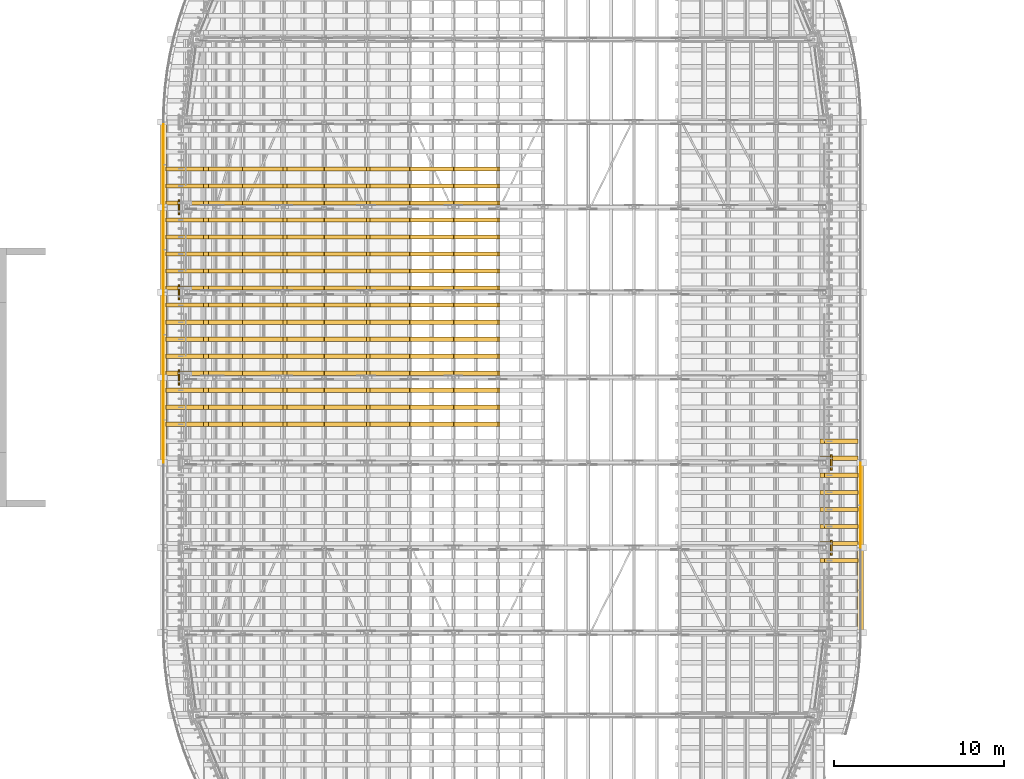
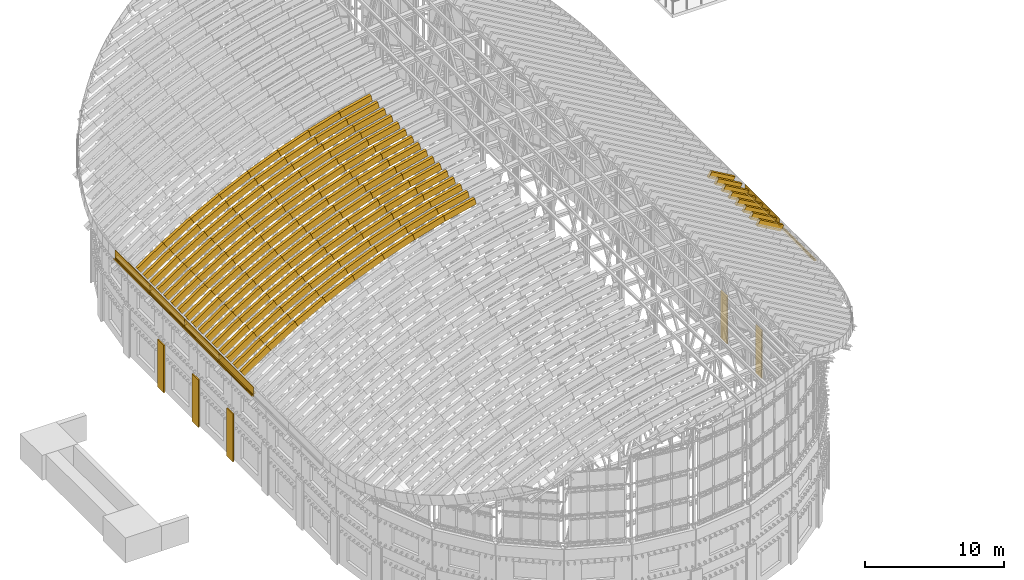
# One storey, part 88 of 105: 158 coverings.
"""IFC4 building model written with IfcOpenShell, lengths in metres."""

from ifc_helpers import new_model, si_unit, direction, frame, origin, origin_2d, place, context, subcontext, project, spatial, polyline, rectangle, outline, extrude, material, layer, layer_set, material_profile, profile_set, type_object, element, save


model = new_model("IFC4")

# Units and contexts
model_context = context("Model", 3, precision=1e-05, world=origin(), true_north=direction((0.0, 1.0)))
body_context = subcontext(model_context, "Body", "Model", "MODEL_VIEW")
ifc_project = project(units=[si_unit("LENGTHUNIT", "METRE"), si_unit("AREAUNIT", "SQUARE_METRE"), si_unit("VOLUMEUNIT", "CUBIC_METRE"), si_unit("PLANEANGLEUNIT", "RADIAN"), si_unit("MASSUNIT", "GRAM", prefix="KILO")], contexts=[model_context])

# Site, building, storey
site_placement = place(None, origin())
site = spatial("IfcSite", under=ifc_project, at=site_placement, CompositionType="ELEMENT")
building_placement = place(site_placement, origin())
building = spatial("IfcBuilding", under=site, at=building_placement, Name="Wasatch Bagh Community Centre", CompositionType="ELEMENT")
storey_placement = place(building_placement, frame((0.0, 0.0, 16.800048828125)))
storey = spatial("IfcBuildingStorey", under=building, at=storey_placement, Name="L04", CompositionType="ELEMENT", Elevation=16.800048828125)

# Coverings
ifc_material_1 = material(Name="White precast concrete C40/50", Category="concrete")
ifc_layer = layer(ifc_material_1, 0.10009765625)
ifc_layer_set = layer_set([ifc_layer], Name="White precast concrete C40/50")
covering_type_1 = type_object("IfcCoveringType", Name="MH column casing", PredefinedType="CLADDING", material=ifc_layer_set)
for number, where, z_axis, x_axis, name in (
    (1, (16.85009765625, 50.0, 0.0), (0.0, 0.0, 1.0), (0.0, -1.0, 0.0), "Column casing W4 L04"),
    (2, (16.85009765625, 55.0, 0.0), (0.0, 0.0, 1.0), (0.0, -1.0, 0.0), "Column casing W5 L04"),
    (3, (16.85009765625, 60.0, 0.0), (0.0, 0.0, 1.0), (0.0, -1.0, 0.0), "Column casing W6 L04"),
    (4, (55.14990234375, 40.0, 0.0), (0.0, 0.0, 1.0), (0.0, 1.0, 0.0), "Column casing E2 L04"),
    (5, (55.14990234375, 45.0, 0.0), (0.0, 0.0, 1.0), (0.0, 1.0, 0.0), "Column casing E3 L04"),
):
    element("IfcCovering", number, at=place(storey_placement, frame(where, z_axis=z_axis, x_axis=x_axis)), inside=storey, type_object=covering_type_1, Name=name, PredefinedType="CLADDING", context=body_context, shape_type="SweptSolid", body=[
        extrude(rectangle(XDim=0.89990234375, YDim=0.10009765625, at=origin_2d()), origin(), (0.0, 0.0, 1.0), 4.199951171875),
    ])
ifc_material_2 = material(Name="ASTM A653 Grade 50 steel, zinc-aluminium coated", Category="steel")
ifc_material_profile_1 = material_profile(ifc_material_2, outline(polyline([(-0.080078125, 0.0029296875), (0.152099609375, 0.0029296875), (0.152099609375, -0.031982421875), (0.14892578125, -0.031982421875), (0.14892578125, 0.0), (-0.080078125, 0.0), (-0.080078125, 0.0029296875)])), Name="DRIP EDGE")
ifc_profile_set_1 = profile_set([ifc_material_profile_1], Name="ASTM A653 Grade 50 steel, zinc-aluminium coated")
covering_type_2 = type_object("IfcCoveringType", Name="MH drip edge", PredefinedType="CLADDING", material=ifc_profile_set_1)
for number, where, z_axis, x_axis, name in (
    (6, (16.050048828125, 45.00390625, 9.074462890625), (0.0, 1.0, 0.0), (-0.828790536479, 0.0, -0.559558975125), "Drip edge 80"),
    (7, (16.050048828125, 50.00390625, 9.074462890625), (0.0, 1.0, 0.0), (-0.828790536479, 0.0, -0.559558975125), "Drip edge 81"),
    (8, (16.050048828125, 55.00390625, 9.074462890625), (0.0, 1.0, 0.0), (-0.828790536479, 0.0, -0.559558975125), "Drip edge 82"),
    (9, (16.050048828125, 60.00390625, 9.074462890625), (0.0, 1.0, 0.0), (-0.828790536479, 0.0, -0.559558975125), "Drip edge 83"),
    (10, (56.75, 44.99609375, 12.657470703125), (0.0, -1.0, 0.0), (0.866025403784, 0.0, -0.5), "Drip edge 165"),
    (11, (56.75, 39.99609375, 12.657470703125), (0.0, -1.0, 0.0), (0.866025403784, 0.0, -0.5), "Drip edge 166"),
):
    element("IfcCovering", number, at=place(storey_placement, frame(where, z_axis=z_axis, x_axis=x_axis)), inside=storey, type_object=covering_type_2, Name=name, PredefinedType="CLADDING", context=body_context, shape_type="SweptSolid", body=[
        extrude(outline(polyline([(-0.080078125, 0.0029296875), (0.152099609375, 0.0029296875), (0.152099609375, -0.031982421875), (0.14892578125, -0.031982421875), (0.14892578125, 0.0), (-0.080078125, 0.0), (-0.080078125, 0.0029296875)])), origin(), (0.0, 0.0, 1.0), 4.9921875),
    ])
ifc_material_profile_2 = material_profile(ifc_material_2, rectangle(XDim=0.0400390625, YDim=0.85009765625, at=origin_2d()), Name="FASCIA 40x850")
ifc_profile_set_2 = profile_set([ifc_material_profile_2], Name="ASTM A653 Grade 50 steel, zinc-aluminium coated")
covering_type_3 = type_object("IfcCoveringType", Name="MH eave fascia 40x850", PredefinedType="CLADDING", material=ifc_profile_set_2)
for number, where, z_axis, x_axis, name in (
    (12, (15.929931640625, 45.00390625, 9.199462890625), (0.0, 1.0, 0.0), (-1.0, 0.0, 0.0), "Eave fascia 80"),
    (13, (15.929931640625, 50.00390625, 9.199462890625), (0.0, 1.0, 0.0), (-1.0, 0.0, 0.0), "Eave fascia 81"),
    (14, (15.929931640625, 55.00390625, 9.199462890625), (0.0, 1.0, 0.0), (-1.0, 0.0, 0.0), "Eave fascia 82"),
    (15, (15.929931640625, 60.00390625, 9.199462890625), (0.0, 1.0, 0.0), (-1.0, 0.0, 0.0), "Eave fascia 83"),
    (16, (56.8701171875, 44.99609375, 12.782470703125), (0.0, -1.0, 0.0), (1.0, 0.0, 0.0), "Eave fascia 165"),
):
    element("IfcCovering", number, at=place(storey_placement, frame(where, z_axis=z_axis, x_axis=x_axis)), inside=storey, type_object=covering_type_3, Name=name, PredefinedType="CLADDING", context=body_context, shape_type="SweptSolid", body=[
        extrude(rectangle(XDim=0.0400390625, YDim=0.85009765625, at=origin_2d()), origin(), (0.0, 0.0, 1.0), 4.9921875),
    ])
ifc_material_3 = material(Name="Aluminium sheet, powder coated", Category="aluminium")
ifc_material_profile_3 = material_profile(ifc_material_3, outline(polyline([(-0.074951171875, 0.0), (-0.074951171875, -0.1201171875), (0.074951171875, -0.1201171875), (0.074951171875, 0.0), (0.072021484375, 0.0), (0.072021484375, -0.116943359375), (-0.072021484375, -0.116943359375), (-0.072021484375, 0.0), (-0.074951171875, 0.0)])), Name="GUTTER 150x120")
ifc_profile_set_3 = profile_set([ifc_material_profile_3], Name="Aluminium sheet, powder coated")
covering_type_4 = type_object("IfcCoveringType", Name="MH eave gutter 150x120", PredefinedType="CLADDING", material=ifc_profile_set_3)
for number, where, z_axis, x_axis, name in (
    (17, (15.8349609375, 45.00390625, 8.984375), (0.0, 1.0, 0.0), (-1.0, 0.0, 0.0), "Eave gutter 3"),
    (18, (15.8349609375, 50.00390625, 8.984375), (0.0, 1.0, 0.0), (-1.0, 0.0, 0.0), "Eave gutter 4"),
    (19, (15.8349609375, 55.00390625, 8.984375), (0.0, 1.0, 0.0), (-1.0, 0.0, 0.0), "Eave gutter 5"),
    (20, (15.8349609375, 60.00390625, 8.984375), (0.0, 1.0, 0.0), (-1.0, 0.0, 0.0), "Eave gutter 6"),
    (21, (56.965087890625, 44.99609375, 12.5673828125), (0.0, -1.0, 0.0), (1.0, 0.0, 0.0), "Eave gutter 11"),
    (22, (56.965087890625, 39.99609375, 12.5673828125), (0.0, -1.0, 0.0), (1.0, 0.0, 0.0), "Eave gutter 12"),
):
    element("IfcCovering", number, at=place(storey_placement, frame(where, z_axis=z_axis, x_axis=x_axis)), inside=storey, type_object=covering_type_4, Name=name, PredefinedType="CLADDING", context=body_context, shape_type="SweptSolid", body=[
        extrude(outline(polyline([(-0.074951171875, 0.0), (-0.074951171875, -0.1201171875), (0.074951171875, -0.1201171875), (0.074951171875, 0.0), (0.072021484375, 0.0), (0.072021484375, -0.116943359375), (-0.072021484375, -0.116943359375), (-0.072021484375, 0.0), (-0.074951171875, 0.0)])), origin(), (0.0, 0.0, 1.0), 4.9921875),
    ])
covering_type_5 = type_object("IfcCoveringType", Name="MH roll-over fin rib", PredefinedType="ROOFING", material=ifc_material_2)
for number, where, z_axis, x_axis, name in (
    (23, (16.080078125, 47.125, 9.644775390625), (-0.559557041117, 0.0, 0.828791842223), (0.828791842223, 0.0, 0.559557041117), "Seam rib 1.22"),
    (24, (16.080078125, 48.125, 9.644775390625), (-0.559557041117, 0.0, 0.828791842223), (0.828791842223, 0.0, 0.559557041117), "Seam rib 1.23"),
    (25, (16.080078125, 49.125, 9.644775390625), (-0.559557041117, 0.0, 0.828791842223), (0.828791842223, 0.0, 0.559557041117), "Seam rib 1.24"),
    (26, (16.080078125, 50.125, 9.644775390625), (-0.559557041117, 0.0, 0.828791842223), (0.828791842223, 0.0, 0.559557041117), "Seam rib 1.25"),
    (27, (16.080078125, 51.125, 9.644775390625), (-0.559557041117, 0.0, 0.828791842223), (0.828791842223, 0.0, 0.559557041117), "Seam rib 1.26"),
    (28, (16.080078125, 52.125, 9.644775390625), (-0.559557041117, 0.0, 0.828791842223), (0.828791842223, 0.0, 0.559557041117), "Seam rib 1.27"),
    (29, (16.080078125, 53.125, 9.644775390625), (-0.559557041117, 0.0, 0.828791842223), (0.828791842223, 0.0, 0.559557041117), "Seam rib 1.28"),
    (30, (16.080078125, 54.125, 9.644775390625), (-0.559557041117, 0.0, 0.828791842223), (0.828791842223, 0.0, 0.559557041117), "Seam rib 1.29"),
    (31, (16.080078125, 55.125, 9.644775390625), (-0.559557041117, 0.0, 0.828791842223), (0.828791842223, 0.0, 0.559557041117), "Seam rib 1.30"),
    (32, (16.080078125, 56.125, 9.644775390625), (-0.559557041117, 0.0, 0.828791842223), (0.828791842223, 0.0, 0.559557041117), "Seam rib 1.31"),
    (33, (16.080078125, 57.125, 9.644775390625), (-0.559557041117, 0.0, 0.828791842223), (0.828791842223, 0.0, 0.559557041117), "Seam rib 1.32"),
    (34, (16.080078125, 58.125, 9.644775390625), (-0.559557041117, 0.0, 0.828791842223), (0.828791842223, 0.0, 0.559557041117), "Seam rib 1.33"),
    (35, (16.080078125, 59.125, 9.644775390625), (-0.559557041117, 0.0, 0.828791842223), (0.828791842223, 0.0, 0.559557041117), "Seam rib 1.34"),
    (36, (16.080078125, 60.125, 9.644775390625), (-0.559557041117, 0.0, 0.828791842223), (0.828791842223, 0.0, 0.559557041117), "Seam rib 1.35"),
    (37, (16.080078125, 61.125, 9.644775390625), (-0.559557041117, 0.0, 0.828791842223), (0.828791842223, 0.0, 0.559557041117), "Seam rib 1.36"),
    (38, (16.080078125, 62.125, 9.644775390625), (-0.559557041117, 0.0, 0.828791842223), (0.828791842223, 0.0, 0.559557041117), "Seam rib 1.37"),
):
    element("IfcCovering", number, at=place(storey_placement, frame(where, z_axis=z_axis, x_axis=x_axis)), inside=storey, type_object=covering_type_5, Name=name, PredefinedType="ROOFING", context=body_context, shape_type="SweptSolid", body=[
        extrude(outline(polyline([(0.0, 0.0), (2.6396786613582828, 0.0), (2.6396786613582828, 0.25), (0.0, 0.25), (0.0, 0.0)])), origin(), (0.0, 0.0, -1.0), 0.550048828125),
    ])
for number, where, z_axis, x_axis, name in (
    (39, (18.282958984375, 47.125, 11.11376953125), (-0.5160563274, 0.0, 0.856554649132), (0.856554649132, 0.0, 0.5160563274), "Seam rib 2.25"),
    (40, (18.282958984375, 48.125, 11.11376953125), (-0.5160563274, 0.0, 0.856554649132), (0.856554649132, 0.0, 0.5160563274), "Seam rib 2.26"),
    (41, (18.282958984375, 49.125, 11.11376953125), (-0.5160563274, 0.0, 0.856554649132), (0.856554649132, 0.0, 0.5160563274), "Seam rib 2.27"),
    (42, (18.282958984375, 50.125, 11.11376953125), (-0.5160563274, 0.0, 0.856554649132), (0.856554649132, 0.0, 0.5160563274), "Seam rib 2.28"),
    (43, (18.282958984375, 51.125, 11.11376953125), (-0.5160563274, 0.0, 0.856554649132), (0.856554649132, 0.0, 0.5160563274), "Seam rib 2.29"),
    (44, (18.282958984375, 52.125, 11.11376953125), (-0.5160563274, 0.0, 0.856554649132), (0.856554649132, 0.0, 0.5160563274), "Seam rib 2.30"),
    (45, (18.282958984375, 53.125, 11.11376953125), (-0.5160563274, 0.0, 0.856554649132), (0.856554649132, 0.0, 0.5160563274), "Seam rib 2.31"),
    (46, (18.282958984375, 54.125, 11.11376953125), (-0.5160563274, 0.0, 0.856554649132), (0.856554649132, 0.0, 0.5160563274), "Seam rib 2.32"),
    (47, (18.282958984375, 55.125, 11.11376953125), (-0.5160563274, 0.0, 0.856554649132), (0.856554649132, 0.0, 0.5160563274), "Seam rib 2.33"),
    (48, (18.282958984375, 56.125, 11.11376953125), (-0.5160563274, 0.0, 0.856554649132), (0.856554649132, 0.0, 0.5160563274), "Seam rib 2.34"),
    (49, (18.282958984375, 57.125, 11.11376953125), (-0.5160563274, 0.0, 0.856554649132), (0.856554649132, 0.0, 0.5160563274), "Seam rib 2.35"),
    (50, (18.282958984375, 58.125, 11.11376953125), (-0.5160563274, 0.0, 0.856554649132), (0.856554649132, 0.0, 0.5160563274), "Seam rib 2.36"),
    (51, (18.282958984375, 59.125, 11.11376953125), (-0.5160563274, 0.0, 0.856554649132), (0.856554649132, 0.0, 0.5160563274), "Seam rib 2.37"),
    (52, (18.282958984375, 60.125, 11.11376953125), (-0.5160563274, 0.0, 0.856554649132), (0.856554649132, 0.0, 0.5160563274), "Seam rib 2.38"),
    (53, (18.282958984375, 61.125, 11.11376953125), (-0.5160563274, 0.0, 0.856554649132), (0.856554649132, 0.0, 0.5160563274), "Seam rib 2.39"),
    (54, (18.282958984375, 62.125, 11.11376953125), (-0.5160563274, 0.0, 0.856554649132), (0.856554649132, 0.0, 0.5160563274), "Seam rib 2.40"),
):
    element("IfcCovering", number, at=place(storey_placement, frame(where, z_axis=z_axis, x_axis=x_axis)), inside=storey, type_object=covering_type_5, Name=name, PredefinedType="ROOFING", context=body_context, shape_type="SweptSolid", body=[
        extrude(outline(polyline([(0.0, 0.0), (2.667276362417656, 0.0), (2.667276362417656, 0.25), (0.0, 0.25), (0.0, 0.0)])), origin(), (0.0, 0.0, -1.0), 0.550048828125),
    ])
for number, where, z_axis, x_axis, name in (
    (55, (20.582763671875, 47.125, 12.483642578125), (-0.471139156817, 0.0, 0.882058895377), (0.882058895377, 0.0, 0.471139156817), "Seam rib 3.28"),
    (56, (20.582763671875, 48.125, 12.483642578125), (-0.471139156817, 0.0, 0.882058895377), (0.882058895377, 0.0, 0.471139156817), "Seam rib 3.29"),
    (57, (20.582763671875, 49.125, 12.483642578125), (-0.471139156817, 0.0, 0.882058895377), (0.882058895377, 0.0, 0.471139156817), "Seam rib 3.30"),
    (58, (20.582763671875, 50.125, 12.483642578125), (-0.471139156817, 0.0, 0.882058895377), (0.882058895377, 0.0, 0.471139156817), "Seam rib 3.31"),
    (59, (20.582763671875, 51.125, 12.483642578125), (-0.471139156817, 0.0, 0.882058895377), (0.882058895377, 0.0, 0.471139156817), "Seam rib 3.32"),
    (60, (20.582763671875, 52.125, 12.483642578125), (-0.471139156817, 0.0, 0.882058895377), (0.882058895377, 0.0, 0.471139156817), "Seam rib 3.33"),
    (61, (20.582763671875, 53.125, 12.483642578125), (-0.471139156817, 0.0, 0.882058895377), (0.882058895377, 0.0, 0.471139156817), "Seam rib 3.34"),
    (62, (20.582763671875, 54.125, 12.483642578125), (-0.471139156817, 0.0, 0.882058895377), (0.882058895377, 0.0, 0.471139156817), "Seam rib 3.35"),
    (63, (20.582763671875, 55.125, 12.483642578125), (-0.471139156817, 0.0, 0.882058895377), (0.882058895377, 0.0, 0.471139156817), "Seam rib 3.36"),
    (64, (20.582763671875, 56.125, 12.483642578125), (-0.471139156817, 0.0, 0.882058895377), (0.882058895377, 0.0, 0.471139156817), "Seam rib 3.37"),
    (65, (20.582763671875, 57.125, 12.483642578125), (-0.471139156817, 0.0, 0.882058895377), (0.882058895377, 0.0, 0.471139156817), "Seam rib 3.38"),
    (66, (20.582763671875, 58.125, 12.483642578125), (-0.471139156817, 0.0, 0.882058895377), (0.882058895377, 0.0, 0.471139156817), "Seam rib 3.39"),
    (67, (20.582763671875, 59.125, 12.483642578125), (-0.471139156817, 0.0, 0.882058895377), (0.882058895377, 0.0, 0.471139156817), "Seam rib 3.40"),
    (68, (20.582763671875, 60.125, 12.483642578125), (-0.471139156817, 0.0, 0.882058895377), (0.882058895377, 0.0, 0.471139156817), "Seam rib 3.41"),
    (69, (20.582763671875, 61.125, 12.483642578125), (-0.471139156817, 0.0, 0.882058895377), (0.882058895377, 0.0, 0.471139156817), "Seam rib 3.42"),
    (70, (20.582763671875, 62.125, 12.483642578125), (-0.471139156817, 0.0, 0.882058895377), (0.882058895377, 0.0, 0.471139156817), "Seam rib 3.43"),
):
    element("IfcCovering", number, at=place(storey_placement, frame(where, z_axis=z_axis, x_axis=x_axis)), inside=storey, type_object=covering_type_5, Name=name, PredefinedType="ROOFING", context=body_context, shape_type="SweptSolid", body=[
        extrude(outline(polyline([(0.0, 0.0), (2.6676533234711526, 0.0), (2.6676533234711526, 0.25000000000000006), (0.0, 0.25000000000000006), (0.0, 0.0)])), origin(), (0.0, 0.0, -1.0), 0.550048828125),
    ])
for number, where, z_axis, x_axis, name in (
    (71, (22.951171875, 47.125, 13.735107421875), (-0.425003555099, 0.0, 0.905191680338), (0.905191680338, 0.0, 0.425003555099), "Seam rib 4.30"),
    (72, (22.951171875, 48.125, 13.735107421875), (-0.425003555099, 0.0, 0.905191680338), (0.905191680338, 0.0, 0.425003555099), "Seam rib 4.31"),
    (73, (22.951171875, 49.125, 13.735107421875), (-0.425003555099, 0.0, 0.905191680338), (0.905191680338, 0.0, 0.425003555099), "Seam rib 4.32"),
    (74, (22.951171875, 50.125, 13.735107421875), (-0.425003555099, 0.0, 0.905191680338), (0.905191680338, 0.0, 0.425003555099), "Seam rib 4.33"),
    (75, (22.951171875, 51.125, 13.735107421875), (-0.425003555099, 0.0, 0.905191680338), (0.905191680338, 0.0, 0.425003555099), "Seam rib 4.34"),
    (76, (22.951171875, 52.125, 13.735107421875), (-0.425003555099, 0.0, 0.905191680338), (0.905191680338, 0.0, 0.425003555099), "Seam rib 4.35"),
    (77, (22.951171875, 53.125, 13.735107421875), (-0.425003555099, 0.0, 0.905191680338), (0.905191680338, 0.0, 0.425003555099), "Seam rib 4.36"),
    (78, (22.951171875, 54.125, 13.735107421875), (-0.425003555099, 0.0, 0.905191680338), (0.905191680338, 0.0, 0.425003555099), "Seam rib 4.37"),
    (79, (22.951171875, 55.125, 13.735107421875), (-0.425003555099, 0.0, 0.905191680338), (0.905191680338, 0.0, 0.425003555099), "Seam rib 4.38"),
    (80, (22.951171875, 56.125, 13.735107421875), (-0.425003555099, 0.0, 0.905191680338), (0.905191680338, 0.0, 0.425003555099), "Seam rib 4.39"),
    (81, (22.951171875, 57.125, 13.735107421875), (-0.425003555099, 0.0, 0.905191680338), (0.905191680338, 0.0, 0.425003555099), "Seam rib 4.40"),
    (82, (22.951171875, 58.125, 13.735107421875), (-0.425003555099, 0.0, 0.905191680338), (0.905191680338, 0.0, 0.425003555099), "Seam rib 4.41"),
    (83, (22.951171875, 59.125, 13.735107421875), (-0.425003555099, 0.0, 0.905191680338), (0.905191680338, 0.0, 0.425003555099), "Seam rib 4.42"),
    (84, (22.951171875, 60.125, 13.735107421875), (-0.425003555099, 0.0, 0.905191680338), (0.905191680338, 0.0, 0.425003555099), "Seam rib 4.43"),
    (85, (22.951171875, 61.125, 13.735107421875), (-0.425003555099, 0.0, 0.905191680338), (0.905191680338, 0.0, 0.425003555099), "Seam rib 4.44"),
    (86, (22.951171875, 62.125, 13.735107421875), (-0.425003555099, 0.0, 0.905191680338), (0.905191680338, 0.0, 0.425003555099), "Seam rib 4.45"),
):
    element("IfcCovering", number, at=place(storey_placement, frame(where, z_axis=z_axis, x_axis=x_axis)), inside=storey, type_object=covering_type_5, Name=name, PredefinedType="ROOFING", context=body_context, shape_type="SweptSolid", body=[
        extrude(outline(polyline([(0.0, 0.0), (2.667716655298669, 0.0), (2.667716655298669, 0.25), (0.0, 0.25), (0.0, 0.0)])), origin(), (0.0, 0.0, -1.0), 0.550048828125),
    ])
for number, where, z_axis, x_axis, name in (
    (87, (25.381591796875, 47.125, 14.864501953125), (-0.377724112036, 0.0, 0.925918190332), (0.925918190332, 0.0, 0.377724112036), "Seam rib 5.31"),
    (88, (25.381591796875, 48.125, 14.864501953125), (-0.377724112036, 0.0, 0.925918190332), (0.925918190332, 0.0, 0.377724112036), "Seam rib 5.32"),
    (89, (25.381591796875, 49.125, 14.864501953125), (-0.377724112036, 0.0, 0.925918190332), (0.925918190332, 0.0, 0.377724112036), "Seam rib 5.33"),
    (90, (25.381591796875, 50.125, 14.864501953125), (-0.377724112036, 0.0, 0.925918190332), (0.925918190332, 0.0, 0.377724112036), "Seam rib 5.34"),
    (91, (25.381591796875, 51.125, 14.864501953125), (-0.377724112036, 0.0, 0.925918190332), (0.925918190332, 0.0, 0.377724112036), "Seam rib 5.35"),
    (92, (25.381591796875, 52.125, 14.864501953125), (-0.377724112036, 0.0, 0.925918190332), (0.925918190332, 0.0, 0.377724112036), "Seam rib 5.36"),
    (93, (25.381591796875, 53.125, 14.864501953125), (-0.377724112036, 0.0, 0.925918190332), (0.925918190332, 0.0, 0.377724112036), "Seam rib 5.37"),
    (94, (25.381591796875, 54.125, 14.864501953125), (-0.377724112036, 0.0, 0.925918190332), (0.925918190332, 0.0, 0.377724112036), "Seam rib 5.38"),
    (95, (25.381591796875, 55.125, 14.864501953125), (-0.377724112036, 0.0, 0.925918190332), (0.925918190332, 0.0, 0.377724112036), "Seam rib 5.39"),
    (96, (25.381591796875, 56.125, 14.864501953125), (-0.377724112036, 0.0, 0.925918190332), (0.925918190332, 0.0, 0.377724112036), "Seam rib 5.40"),
    (97, (25.381591796875, 57.125, 14.864501953125), (-0.377724112036, 0.0, 0.925918190332), (0.925918190332, 0.0, 0.377724112036), "Seam rib 5.41"),
    (98, (25.381591796875, 58.125, 14.864501953125), (-0.377724112036, 0.0, 0.925918190332), (0.925918190332, 0.0, 0.377724112036), "Seam rib 5.42"),
    (99, (25.381591796875, 59.125, 14.864501953125), (-0.377724112036, 0.0, 0.925918190332), (0.925918190332, 0.0, 0.377724112036), "Seam rib 5.43"),
    (100, (25.381591796875, 60.125, 14.864501953125), (-0.377724112036, 0.0, 0.925918190332), (0.925918190332, 0.0, 0.377724112036), "Seam rib 5.44"),
    (101, (25.381591796875, 61.125, 14.864501953125), (-0.377724112036, 0.0, 0.925918190332), (0.925918190332, 0.0, 0.377724112036), "Seam rib 5.45"),
    (102, (25.381591796875, 62.125, 14.864501953125), (-0.377724112036, 0.0, 0.925918190332), (0.925918190332, 0.0, 0.377724112036), "Seam rib 5.46"),
):
    element("IfcCovering", number, at=place(storey_placement, frame(where, z_axis=z_axis, x_axis=x_axis)), inside=storey, type_object=covering_type_5, Name=name, PredefinedType="ROOFING", context=body_context, shape_type="SweptSolid", body=[
        extrude(outline(polyline([(0.0, 0.0), (2.6681179937617836, 0.0), (2.6681179937617836, 0.25), (0.0, 0.25), (0.0, 0.0)])), origin(), (0.0, 0.0, -1.0), 0.550048828125),
    ])
for number, where, z_axis, x_axis, name in (
    (103, (27.867919921875, 47.125, 15.868896484375), (-0.329400612104, 0.0, 0.944190254528), (0.944190254528, 0.0, 0.329400612104), "Seam rib 6.32"),
    (104, (27.867919921875, 48.125, 15.868896484375), (-0.329400612104, 0.0, 0.944190254528), (0.944190254528, 0.0, 0.329400612104), "Seam rib 6.33"),
    (105, (27.867919921875, 49.125, 15.868896484375), (-0.329400612104, 0.0, 0.944190254528), (0.944190254528, 0.0, 0.329400612104), "Seam rib 6.34"),
    (106, (27.867919921875, 50.125, 15.868896484375), (-0.329400612104, 0.0, 0.944190254528), (0.944190254528, 0.0, 0.329400612104), "Seam rib 6.35"),
    (107, (27.867919921875, 51.125, 15.868896484375), (-0.329400612104, 0.0, 0.944190254528), (0.944190254528, 0.0, 0.329400612104), "Seam rib 6.36"),
    (108, (27.867919921875, 52.125, 15.868896484375), (-0.329400612104, 0.0, 0.944190254528), (0.944190254528, 0.0, 0.329400612104), "Seam rib 6.37"),
    (109, (27.867919921875, 53.125, 15.868896484375), (-0.329400612104, 0.0, 0.944190254528), (0.944190254528, 0.0, 0.329400612104), "Seam rib 6.38"),
    (110, (27.867919921875, 54.125, 15.868896484375), (-0.329400612104, 0.0, 0.944190254528), (0.944190254528, 0.0, 0.329400612104), "Seam rib 6.39"),
    (111, (27.867919921875, 55.125, 15.868896484375), (-0.329400612104, 0.0, 0.944190254528), (0.944190254528, 0.0, 0.329400612104), "Seam rib 6.40"),
    (112, (27.867919921875, 56.125, 15.868896484375), (-0.329400612104, 0.0, 0.944190254528), (0.944190254528, 0.0, 0.329400612104), "Seam rib 6.41"),
    (113, (27.867919921875, 57.125, 15.868896484375), (-0.329400612104, 0.0, 0.944190254528), (0.944190254528, 0.0, 0.329400612104), "Seam rib 6.42"),
    (114, (27.867919921875, 58.125, 15.868896484375), (-0.329400612104, 0.0, 0.944190254528), (0.944190254528, 0.0, 0.329400612104), "Seam rib 6.43"),
    (115, (27.867919921875, 59.125, 15.868896484375), (-0.329400612104, 0.0, 0.944190254528), (0.944190254528, 0.0, 0.329400612104), "Seam rib 6.44"),
    (116, (27.867919921875, 60.125, 15.868896484375), (-0.329400612104, 0.0, 0.944190254528), (0.944190254528, 0.0, 0.329400612104), "Seam rib 6.45"),
    (117, (27.867919921875, 61.125, 15.868896484375), (-0.329400612104, 0.0, 0.944190254528), (0.944190254528, 0.0, 0.329400612104), "Seam rib 6.46"),
    (118, (27.867919921875, 62.125, 15.868896484375), (-0.329400612104, 0.0, 0.944190254528), (0.944190254528, 0.0, 0.329400612104), "Seam rib 6.47"),
):
    element("IfcCovering", number, at=place(storey_placement, frame(where, z_axis=z_axis, x_axis=x_axis)), inside=storey, type_object=covering_type_5, Name=name, PredefinedType="ROOFING", context=body_context, shape_type="SweptSolid", body=[
        extrude(outline(polyline([(0.0, 0.0), (2.668198593761736, 0.0), (2.668198593761736, 0.25), (0.0, 0.25), (0.0, 0.0)])), origin(), (0.0, 0.0, -1.0), 0.550048828125),
    ])
for number, where, z_axis, x_axis, name in (
    (119, (30.403076171875, 47.125, 16.744873046875), (-0.280263508519, 0.0, 0.959923104104), (0.959923104104, 0.0, 0.280263508519), "Seam rib 7.33"),
    (120, (30.403076171875, 48.125, 16.744873046875), (-0.280263508519, 0.0, 0.959923104104), (0.959923104104, 0.0, 0.280263508519), "Seam rib 7.34"),
    (121, (30.403076171875, 49.125, 16.744873046875), (-0.280263508519, 0.0, 0.959923104104), (0.959923104104, 0.0, 0.280263508519), "Seam rib 7.35"),
    (122, (30.403076171875, 50.125, 16.744873046875), (-0.280263508519, 0.0, 0.959923104104), (0.959923104104, 0.0, 0.280263508519), "Seam rib 7.36"),
    (123, (30.403076171875, 51.125, 16.744873046875), (-0.280263508519, 0.0, 0.959923104104), (0.959923104104, 0.0, 0.280263508519), "Seam rib 7.37"),
    (124, (30.403076171875, 52.125, 16.744873046875), (-0.280263508519, 0.0, 0.959923104104), (0.959923104104, 0.0, 0.280263508519), "Seam rib 7.38"),
    (125, (30.403076171875, 53.125, 16.744873046875), (-0.280263508519, 0.0, 0.959923104104), (0.959923104104, 0.0, 0.280263508519), "Seam rib 7.39"),
    (126, (30.403076171875, 54.125, 16.744873046875), (-0.280263508519, 0.0, 0.959923104104), (0.959923104104, 0.0, 0.280263508519), "Seam rib 7.40"),
    (127, (30.403076171875, 55.125, 16.744873046875), (-0.280263508519, 0.0, 0.959923104104), (0.959923104104, 0.0, 0.280263508519), "Seam rib 7.41"),
    (128, (30.403076171875, 56.125, 16.744873046875), (-0.280263508519, 0.0, 0.959923104104), (0.959923104104, 0.0, 0.280263508519), "Seam rib 7.42"),
    (129, (30.403076171875, 57.125, 16.744873046875), (-0.280263508519, 0.0, 0.959923104104), (0.959923104104, 0.0, 0.280263508519), "Seam rib 7.43"),
    (130, (30.403076171875, 58.125, 16.744873046875), (-0.280263508519, 0.0, 0.959923104104), (0.959923104104, 0.0, 0.280263508519), "Seam rib 7.44"),
    (131, (30.403076171875, 59.125, 16.744873046875), (-0.280263508519, 0.0, 0.959923104104), (0.959923104104, 0.0, 0.280263508519), "Seam rib 7.45"),
    (132, (30.403076171875, 60.125, 16.744873046875), (-0.280263508519, 0.0, 0.959923104104), (0.959923104104, 0.0, 0.280263508519), "Seam rib 7.46"),
    (133, (30.403076171875, 61.125, 16.744873046875), (-0.280263508519, 0.0, 0.959923104104), (0.959923104104, 0.0, 0.280263508519), "Seam rib 7.47"),
    (134, (30.403076171875, 62.125, 16.744873046875), (-0.280263508519, 0.0, 0.959923104104), (0.959923104104, 0.0, 0.280263508519), "Seam rib 7.48"),
):
    element("IfcCovering", number, at=place(storey_placement, frame(where, z_axis=z_axis, x_axis=x_axis)), inside=storey, type_object=covering_type_5, Name=name, PredefinedType="ROOFING", context=body_context, shape_type="SweptSolid", body=[
        extrude(outline(polyline([(0.0, 0.0), (2.6682129911495487, 0.0), (2.6682129911495487, 0.25), (0.0, 0.25), (0.0, 0.0)])), origin(), (0.0, 0.0, -1.0), 0.550048828125),
    ])
for number, where, z_axis, x_axis, name in (
    (135, (32.98046875, 47.125, 17.490478515625), (-0.2303751915, 0.0, 0.973101881172), (0.973101881172, 0.0, 0.2303751915), "Seam rib 8.33"),
    (136, (32.98046875, 48.125, 17.490478515625), (-0.2303751915, 0.0, 0.973101881172), (0.973101881172, 0.0, 0.2303751915), "Seam rib 8.34"),
    (137, (32.98046875, 49.125, 17.490478515625), (-0.2303751915, 0.0, 0.973101881172), (0.973101881172, 0.0, 0.2303751915), "Seam rib 8.35"),
    (138, (32.98046875, 50.125, 17.490478515625), (-0.2303751915, 0.0, 0.973101881172), (0.973101881172, 0.0, 0.2303751915), "Seam rib 8.36"),
    (139, (32.98046875, 51.125, 17.490478515625), (-0.2303751915, 0.0, 0.973101881172), (0.973101881172, 0.0, 0.2303751915), "Seam rib 8.37"),
    (140, (32.98046875, 52.125, 17.490478515625), (-0.2303751915, 0.0, 0.973101881172), (0.973101881172, 0.0, 0.2303751915), "Seam rib 8.38"),
    (141, (32.98046875, 53.125, 17.490478515625), (-0.2303751915, 0.0, 0.973101881172), (0.973101881172, 0.0, 0.2303751915), "Seam rib 8.39"),
    (142, (32.98046875, 54.125, 17.490478515625), (-0.2303751915, 0.0, 0.973101881172), (0.973101881172, 0.0, 0.2303751915), "Seam rib 8.40"),
    (143, (32.98046875, 55.125, 17.490478515625), (-0.2303751915, 0.0, 0.973101881172), (0.973101881172, 0.0, 0.2303751915), "Seam rib 8.41"),
    (144, (32.98046875, 56.125, 17.490478515625), (-0.2303751915, 0.0, 0.973101881172), (0.973101881172, 0.0, 0.2303751915), "Seam rib 8.42"),
    (145, (32.98046875, 57.125, 17.490478515625), (-0.2303751915, 0.0, 0.973101881172), (0.973101881172, 0.0, 0.2303751915), "Seam rib 8.43"),
    (146, (32.98046875, 58.125, 17.490478515625), (-0.2303751915, 0.0, 0.973101881172), (0.973101881172, 0.0, 0.2303751915), "Seam rib 8.44"),
    (147, (32.98046875, 59.125, 17.490478515625), (-0.2303751915, 0.0, 0.973101881172), (0.973101881172, 0.0, 0.2303751915), "Seam rib 8.45"),
    (148, (32.98046875, 60.125, 17.490478515625), (-0.2303751915, 0.0, 0.973101881172), (0.973101881172, 0.0, 0.2303751915), "Seam rib 8.46"),
    (149, (32.98046875, 61.125, 17.490478515625), (-0.2303751915, 0.0, 0.973101881172), (0.973101881172, 0.0, 0.2303751915), "Seam rib 8.47"),
    (150, (32.98046875, 62.125, 17.490478515625), (-0.2303751915, 0.0, 0.973101881172), (0.973101881172, 0.0, 0.2303751915), "Seam rib 8.48"),
):
    element("IfcCovering", number, at=place(storey_placement, frame(where, z_axis=z_axis, x_axis=x_axis)), inside=storey, type_object=covering_type_5, Name=name, PredefinedType="ROOFING", context=body_context, shape_type="SweptSolid", body=[
        extrude(outline(polyline([(0.0, 0.0), (2.6684561377800424, 0.0), (2.6684561377800424, 0.25), (0.0, 0.25), (0.0, 0.0)])), origin(), (0.0, 0.0, -1.0), 0.550048828125),
    ])
for number, where, z_axis, x_axis, name in (
    (151, (54.75439453125, 39.125, 14.359375), (0.499980071345, 0.0, 0.866036909293), (0.866036909293, 0.0, -0.499980071345), "Seam rib 14.13"),
    (152, (54.75439453125, 40.125, 14.359375), (0.499980071345, 0.0, 0.866036909293), (0.866036909293, 0.0, -0.499980071345), "Seam rib 14.14"),
    (153, (54.75439453125, 41.125, 14.359375), (0.499980071345, 0.0, 0.866036909293), (0.866036909293, 0.0, -0.499980071345), "Seam rib 14.15"),
    (154, (54.75439453125, 42.125, 14.359375), (0.499980071345, 0.0, 0.866036909293), (0.866036909293, 0.0, -0.499980071345), "Seam rib 14.16"),
    (155, (54.75439453125, 43.125, 14.359375), (0.499980071345, 0.0, 0.866036909293), (0.866036909293, 0.0, -0.499980071345), "Seam rib 14.17"),
    (156, (54.75439453125, 44.125, 14.359375), (0.499980071345, 0.0, 0.866036909293), (0.866036909293, 0.0, -0.499980071345), "Seam rib 14.18"),
    (157, (54.75439453125, 45.125, 14.359375), (0.499980071345, 0.0, 0.866036909293), (0.866036909293, 0.0, -0.499980071345), "Seam rib 14.19"),
    (158, (54.75439453125, 46.125, 14.359375), (0.499980071345, 0.0, 0.866036909293), (0.866036909293, 0.0, -0.499980071345), "Seam rib 14.20"),
):
    element("IfcCovering", number, at=place(storey_placement, frame(where, z_axis=z_axis, x_axis=x_axis)), inside=storey, type_object=covering_type_5, Name=name, PredefinedType="ROOFING", context=body_context, shape_type="SweptSolid", body=[
        extrude(outline(polyline([(0.0, 0.0), (2.2696217110180323, 0.0), (2.2696217110180323, 0.25), (0.0, 0.25), (0.0, 0.0)])), origin(), (0.0, 0.0, -1.0), 0.550048828125),
    ])

save(model, "model.ifc")
